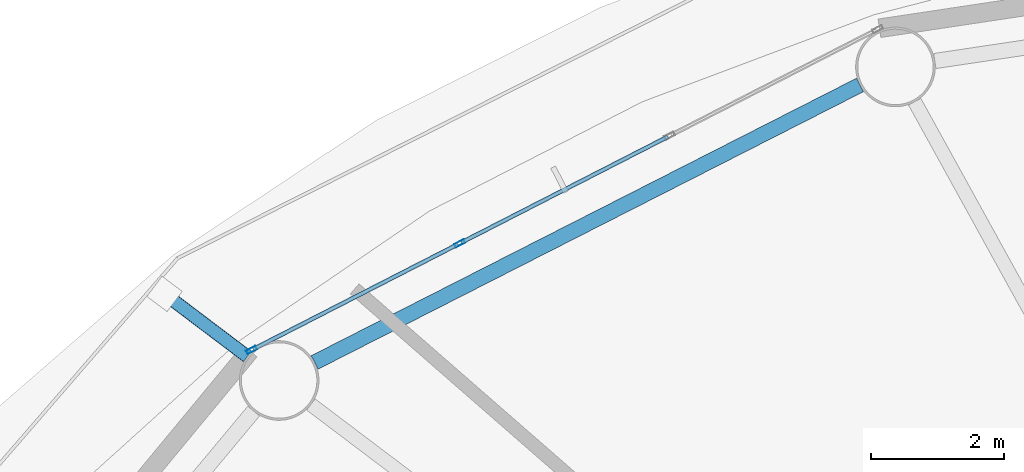
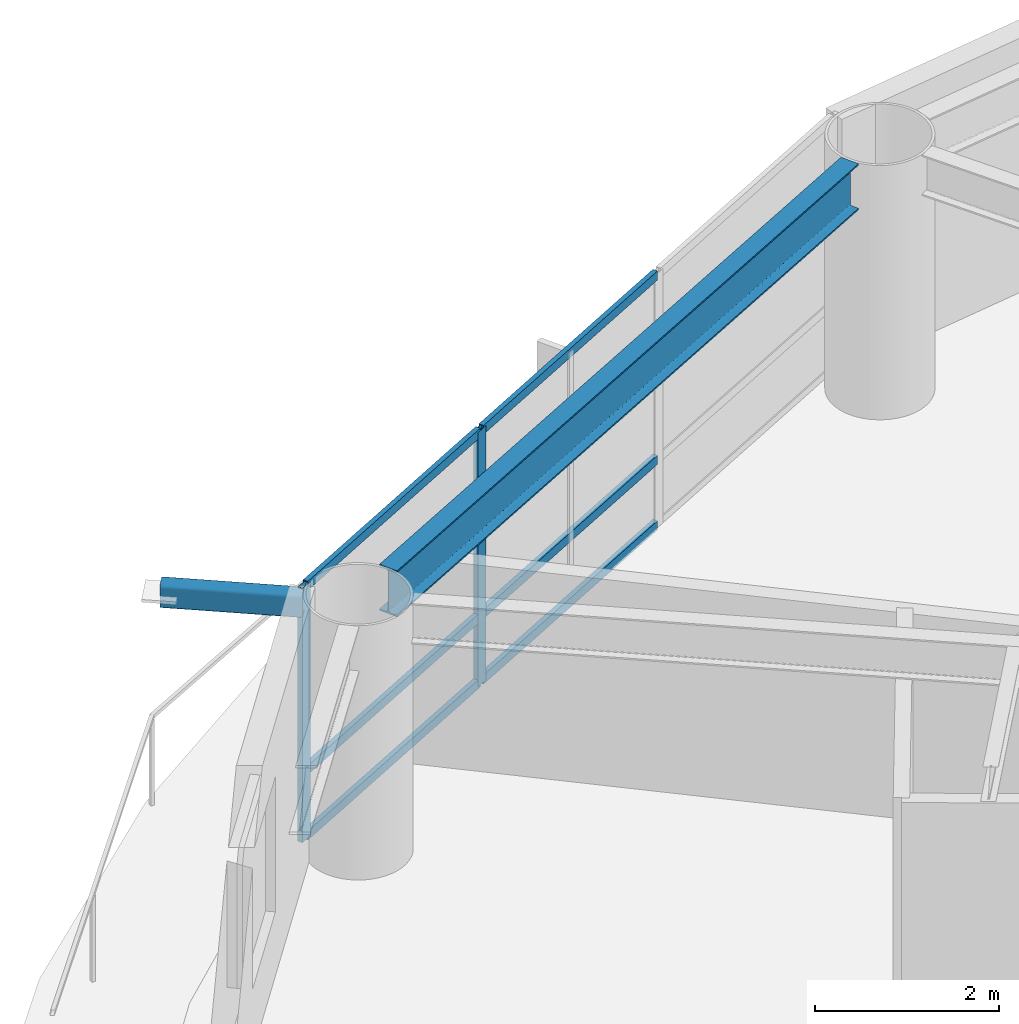
# One storey, part 8 of 24: 9 members, 1 beam, 1 element without a shape of its own.
"""IFC4 building model written with IfcOpenShell, lengths in metres."""

from ifc_helpers import new_model, si_unit, direction, frame, origin, origin_2d, place, context, subcontext, project, spatial, hollow_rectangle, i_section, extrude, material, layer, layer_set, material_profile, profile_set, type_object, element, aggregate, save


model = new_model("IFC4")

# Units and contexts
model_context = context("Model", 3, precision=1e-05, world=origin(), true_north=direction((0.0, 1.0)))
body_context = subcontext(model_context, "Body", "Model", "MODEL_VIEW")
ifc_project = project(units=[si_unit("LENGTHUNIT", "METRE"), si_unit("AREAUNIT", "SQUARE_METRE"), si_unit("VOLUMEUNIT", "CUBIC_METRE"), si_unit("PLANEANGLEUNIT", "RADIAN"), si_unit("MASSUNIT", "GRAM", prefix="KILO")], contexts=[model_context])

# Site, building, storey
site_placement = place(None, origin())
site = spatial("IfcSite", under=ifc_project, at=site_placement, CompositionType="ELEMENT")
building_placement = place(site_placement, origin())
building = spatial("IfcBuilding", under=site, at=building_placement, Name="Sarneth Arch Tower", CompositionType="ELEMENT")
storey_placement = place(building_placement, frame((0.0, 0.0, 116.39990234375)))
storey = spatial("IfcBuildingStorey", under=building, at=storey_placement, Name="L29", CompositionType="ELEMENT", Elevation=116.39990234375)

# Beam
ifc_material_1 = material(Name="Steel S355", Category="steel")
ifc_material_profile_1 = material_profile(ifc_material_1, i_section(OverallWidth=0.22900390625, OverallDepth=0.612060546875, WebThickness=0.011962890625, FlangeThickness=0.01953125, FilletRadius=0.01904296875, at=origin_2d()), Name="W610x125")
ifc_profile_set_1 = profile_set([ifc_material_profile_1], Name="Steel S355")
beam_type = type_object("IfcBeamType", Name="BM-SPAN-610C", PredefinedType="SPANDREL", material=ifc_profile_set_1)
beam_placement = place(storey_placement, frame((36.35498046875, 61.868408203125, 3.07421875), z_axis=(-0.891259443414, -0.453493775619, 0.0), x_axis=(0.453493775619, -0.891259443414, 0.0)))
element("IfcBeam", 1, at=beam_placement, inside=storey, type_object=beam_type, Name="L29 Perimeter spandrel beam 06", PredefinedType="SPANDREL", context=body_context, shape_type="SweptSolid", body=[
    extrude(i_section(OverallWidth=0.22900390625, OverallDepth=0.612060546875, WebThickness=0.011962890625, FlangeThickness=0.01953125, FilletRadius=0.01904296875, at=origin_2d()), origin(), (0.0, 0.0, 1.0), 9.220458984375),
])

# Curtain wall, members
ifc_material_2 = material(Name="Anodised aluminium Type AA25 and solar-control low-e laminated IGU", Category="aluminium")
ifc_layer = layer(ifc_material_2, 0.159912109375)
ifc_layer_set = layer_set([ifc_layer], Name="Anodised aluminium Type AA25 and solar-control low-e laminated IGU")
curtain_wall_type = type_object("IfcCurtainWallType", Name="CW-HOTEL-MID", PredefinedType="NOTDEFINED", material=ifc_layer_set)
curtain_wall_placement = place(storey_placement, origin())
curtain_wall = element("IfcCurtainWall", 2, at=curtain_wall_placement, inside=storey, type_object=curtain_wall_type, Name="L29 Unitised curtain wall facet 06", PredefinedType="NOTDEFINED")
ifc_material_3 = material(Name="Anodised Aluminium 6063-T6", Category="aluminium")
ifc_material_profile_2 = material_profile(ifc_material_3, hollow_rectangle(XDim=0.06005859375, YDim=0.159912109375, WallThickness=0.00390625, at=origin_2d()), Name="AL-MULL-160x60x4")
ifc_profile_set_2 = profile_set([ifc_material_profile_2], Name="Anodised Aluminium 6063-T6")
member_type_1 = type_object("IfcMemberType", Name="CW-MULLION", PredefinedType="MULLION", material=ifc_profile_set_2)
member_1_placement = place(storey_placement, frame((30.322998046875, 59.481201171875, 0.0), z_axis=(0.0, 0.0, 1.0), x_axis=(0.456031365356, -0.889963703649, 0.0)))
member_1 = element("IfcMember", 3, at=member_1_placement, type_object=member_type_1, Name="CW-SYS-4 mullion 3", PredefinedType="MULLION", context=body_context, shape_type="SweptSolid", body=[
    extrude(hollow_rectangle(XDim=0.06005859375, YDim=0.159912109375, WallThickness=0.00390625, at=origin_2d()), origin(), (0.0, 0.0, 1.0), 3.380126953125),
])
member_2_placement = place(storey_placement, frame((27.186767578125, 57.8740234375, 0.0), z_axis=(0.0, 0.0, 1.0), x_axis=(0.456031365356, -0.889963703649, 0.0)))
member_2 = element("IfcMember", 4, at=member_2_placement, type_object=member_type_1, Name="CW-SYS-4 mullion 4", PredefinedType="MULLION", context=body_context, shape_type="SweptSolid", body=[
    extrude(hollow_rectangle(XDim=0.06005859375, YDim=0.159912109375, WallThickness=0.00390625, at=origin_2d()), origin(), (0.0, 0.0, 1.0), 3.380126953125),
])
ifc_material_4 = material(Name="Anodised Aluminium 6063-T6", Category="aluminium")
ifc_material_profile_3 = material_profile(ifc_material_4, hollow_rectangle(XDim=0.06005859375, YDim=0.1201171875, WallThickness=0.00390625, at=origin_2d()), Name="AL-TRAN-120x60x4")
ifc_profile_set_3 = profile_set([ifc_material_profile_3], Name="Anodised Aluminium 6063-T6")
member_type_2 = type_object("IfcMemberType", Name="CW-TRANSOM", PredefinedType="USERDEFINED", material=ifc_profile_set_3)
member_3_placement = place(storey_placement, frame((33.459228515625, 61.088134765625, 0.030029296875), z_axis=(-0.889981813856, -0.455996020823, 0.0), x_axis=(0.455996020823, -0.889981813856, 0.0)))
member_3 = element("IfcMember", 5, at=member_3_placement, type_object=member_type_2, Name="CW-SYS-4 transom 2.1", ObjectType="TRANSOM", PredefinedType="USERDEFINED", context=body_context, shape_type="SweptSolid", body=[
    extrude(hollow_rectangle(XDim=0.06005859375, YDim=0.1201171875, WallThickness=0.00390625, at=origin_2d()), origin(), (0.0, 0.0, 1.0), 3.494140625),
])
member_4_placement = place(storey_placement, frame((33.459228515625, 61.088134765625, 0.900146484375), z_axis=(-0.889981813856, -0.455996020823, 0.0), x_axis=(0.455996020823, -0.889981813856, 0.0)))
member_4 = element("IfcMember", 6, at=member_4_placement, type_object=member_type_2, Name="CW-SYS-4 transom 2.2", ObjectType="TRANSOM", PredefinedType="USERDEFINED", context=body_context, shape_type="SweptSolid", body=[
    extrude(hollow_rectangle(XDim=0.06005859375, YDim=0.1201171875, WallThickness=0.00390625, at=origin_2d()), origin(), (0.0, 0.0, 1.0), 3.494140625),
])
member_5_placement = place(storey_placement, frame((33.459228515625, 61.088134765625, 3.35009765625), z_axis=(-0.889981813856, -0.455996020823, 0.0), x_axis=(0.455996020823, -0.889981813856, 0.0)))
member_5 = element("IfcMember", 7, at=member_5_placement, type_object=member_type_2, Name="CW-SYS-4 transom 2.3", ObjectType="TRANSOM", PredefinedType="USERDEFINED", context=body_context, shape_type="SweptSolid", body=[
    extrude(hollow_rectangle(XDim=0.06005859375, YDim=0.1201171875, WallThickness=0.00390625, at=origin_2d()), origin(), (0.0, 0.0, 1.0), 3.494140625),
])
member_6_placement = place(storey_placement, frame((30.296142578125, 59.467529296875, 0.030029296875), z_axis=(-0.889942905184, -0.456071952122, 0.0), x_axis=(0.456071952122, -0.889942905184, 0.0)))
member_6 = element("IfcMember", 8, at=member_6_placement, type_object=member_type_2, Name="CW-SYS-4 transom 3.1", ObjectType="TRANSOM", PredefinedType="USERDEFINED", context=body_context, shape_type="SweptSolid", body=[
    extrude(hollow_rectangle(XDim=0.06005859375, YDim=0.1201171875, WallThickness=0.00390625, at=origin_2d()), origin(), (0.0, 0.0, 1.0), 3.464111328125),
])
member_7_placement = place(storey_placement, frame((30.296142578125, 59.467529296875, 0.900146484375), z_axis=(-0.889942905184, -0.456071952122, 0.0), x_axis=(0.456071952122, -0.889942905184, 0.0)))
member_7 = element("IfcMember", 9, at=member_7_placement, type_object=member_type_2, Name="CW-SYS-4 transom 3.2", ObjectType="TRANSOM", PredefinedType="USERDEFINED", context=body_context, shape_type="SweptSolid", body=[
    extrude(hollow_rectangle(XDim=0.06005859375, YDim=0.1201171875, WallThickness=0.00390625, at=origin_2d()), origin(), (0.0, 0.0, 1.0), 3.464111328125),
])
member_8_placement = place(storey_placement, frame((30.296142578125, 59.467529296875, 3.35009765625), z_axis=(-0.889942905184, -0.456071952122, 0.0), x_axis=(0.456071952122, -0.889942905184, 0.0)))
member_8 = element("IfcMember", 10, at=member_8_placement, type_object=member_type_2, Name="CW-SYS-4 transom 3.3", ObjectType="TRANSOM", PredefinedType="USERDEFINED", context=body_context, shape_type="SweptSolid", body=[
    extrude(hollow_rectangle(XDim=0.06005859375, YDim=0.1201171875, WallThickness=0.00390625, at=origin_2d()), origin(), (0.0, 0.0, 1.0), 3.464111328125),
])
aggregate(curtain_wall, [member_1, member_2, member_3, member_4, member_5, member_6, member_7, member_8])

# Member
ifc_material_5 = material(Name="Steel S355", Category="steel")
ifc_material_profile_4 = material_profile(ifc_material_5, hollow_rectangle(XDim=0.199951171875, YDim=0.300048828125, WallThickness=0.012451171875, InnerFilletRadius=0.018798828125, OuterFilletRadius=0.03125, at=origin_2d()), Name="RHS300x200x12.5")
ifc_profile_set_4 = profile_set([ifc_material_profile_4], Name="Steel S355")
member_type_3 = type_object("IfcMemberType", Name="MEM-CANT-STRUT", PredefinedType="STRUT", material=ifc_profile_set_4)
member_9_placement = place(storey_placement, frame((27.123779296875, 57.776611328125, 3.22021484375), z_axis=(-0.797747213845, 0.602992025488, 0.0), x_axis=(-0.602992025488, -0.797747213845, 0.0)))
element("IfcMember", 11, at=member_9_placement, inside=storey, type_object=member_type_3, Name="L29 Balcony cantilever bracket 07", PredefinedType="STRUT", context=body_context, shape_type="SweptSolid", body=[
    extrude(hollow_rectangle(XDim=0.199951171875, YDim=0.300048828125, WallThickness=0.012451171875, InnerFilletRadius=0.018798828125, OuterFilletRadius=0.03125, at=origin_2d()), origin(), (0.0, 0.0, 1.0), 1.564453125),
])

save(model, "model.ifc")
